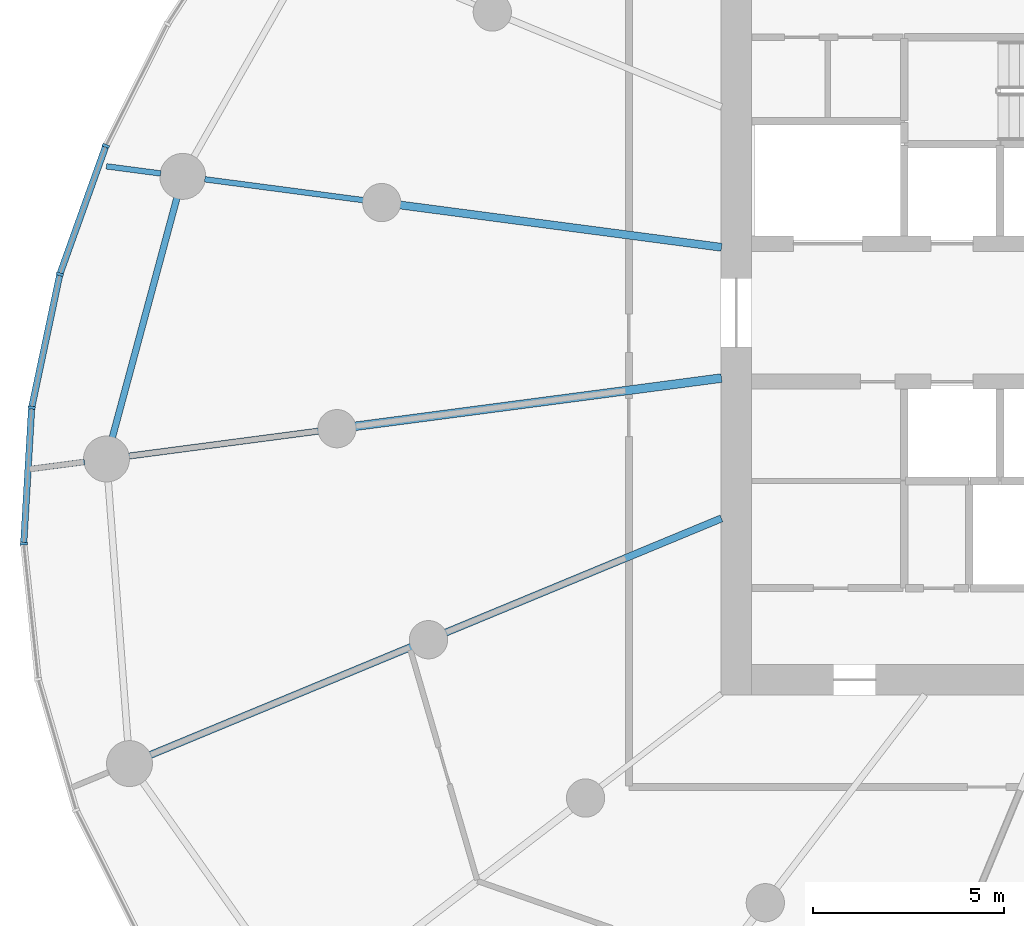
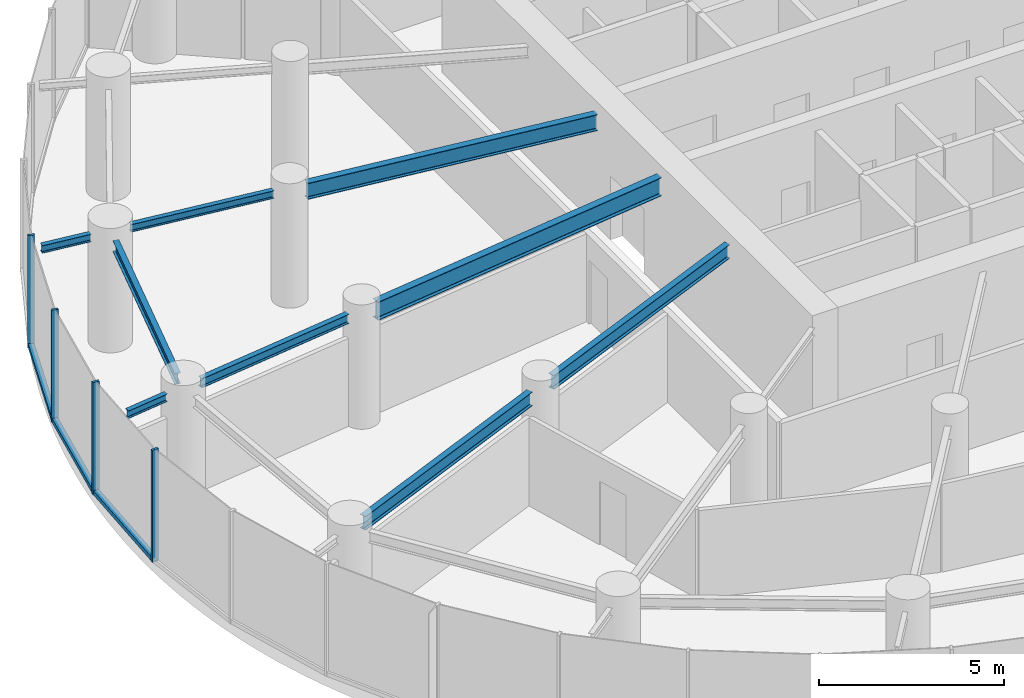
# One storey, part 3 of 17: 9 beams, 7 members, 1 element without a shape of its own.
"""IFC4 building model written with IfcOpenShell, lengths in metres."""

from ifc_helpers import new_model, si_unit, direction, frame, origin, origin_2d, place, context, subcontext, project, spatial, rectangle, i_section, extrude, source, transform, mapped, material, layer, layer_set, material_profile, profile_set, type_object, element, aggregate, save


model = new_model("IFC4")

# Units and contexts
model_context = context("Model", 3, precision=1e-05, world=origin(), true_north=direction((0.0, 1.0)))
body_context = subcontext(model_context, "Body", "Model", "MODEL_VIEW")
ifc_project = project(units=[si_unit("LENGTHUNIT", "METRE"), si_unit("AREAUNIT", "SQUARE_METRE"), si_unit("VOLUMEUNIT", "CUBIC_METRE"), si_unit("PLANEANGLEUNIT", "RADIAN"), si_unit("MASSUNIT", "GRAM", prefix="KILO")], contexts=[model_context])

# Site, building, storey
site_placement = place(None, origin())
site = spatial("IfcSite", under=ifc_project, at=site_placement, CompositionType="ELEMENT")
building_placement = place(site_placement, origin())
building = spatial("IfcBuilding", under=site, at=building_placement, Name="Spindrift Exchange Tower", CompositionType="ELEMENT")
storey_placement = place(building_placement, frame((0.0, 0.0, 100.300048828125)))
storey = spatial("IfcBuildingStorey", under=building, at=storey_placement, Name="L23", CompositionType="ELEMENT", Elevation=100.300048828125)

# Beams
ifc_material_1 = material(Name="Steel Grade 300", Category="steel")
ifc_material_profile_1 = material_profile(ifc_material_1, i_section(OverallWidth=0.22802734375, OverallDepth=0.60693359375, WebThickness=0.01123046875, FlangeThickness=0.017333984375, FilletRadius=0.013916015625, at=origin_2d()), Name="610UB113")
ifc_profile_set_1 = profile_set([ifc_material_profile_1], Name="Steel Grade 300")
beam_type_1 = type_object("IfcBeamType", Name="Floor Beam 610UB113 Steel Grade 300", PredefinedType="BEAM", material=ifc_profile_set_1)
shared_shape_1 = source(origin(), body_context, "Body", "SweptSolid", [
    extrude(i_section(OverallWidth=0.22802734375, OverallDepth=0.60693359375, WebThickness=0.01123046875, FlangeThickness=0.017333984375, FilletRadius=0.013916015625, at=origin_2d()), origin(), (0.0, 0.0, 1.0), 9.660400390625),
])
beam_1_placement = place(storey_placement, frame((39.019775390625, 46.291015625, 3.396484375), z_axis=(-0.99144767089, -0.130504850054, 0.0), x_axis=(0.130504850054, -0.99144767089, 0.0)))
element("IfcBeam", 1, at=beam_1_placement, inside=storey, type_object=beam_type_1, Name="L23 radial beam R13A", PredefinedType="BEAM", context=body_context, shape_type="MappedRepresentation", body=[
    mapped(shared_shape_1, transform((0.0, 0.0, 0.0), scale=1.0)),
])
ifc_material_profile_2 = material_profile(ifc_material_1, i_section(OverallWidth=0.18994140625, OverallDepth=0.45703125, WebThickness=0.009033203125, FlangeThickness=0.014404296875, FilletRadius=0.013916015625, at=origin_2d()), Name="460UB74.6")
ifc_profile_set_2 = profile_set([ifc_material_profile_2], Name="Steel Grade 300")
beam_type_2 = type_object("IfcBeamType", Name="Floor Beam 460UB74.6 Steel Grade 300", PredefinedType="BEAM", material=ifc_profile_set_2)
shared_shape_2 = source(origin(), body_context, "Body", "SweptSolid", [
    extrude(i_section(OverallWidth=0.18994140625, OverallDepth=0.45703125, WebThickness=0.009033203125, FlangeThickness=0.014404296875, FilletRadius=0.013916015625, at=origin_2d()), origin(), (0.0, 0.0, 1.0), 7.808837890625),
])
beam_2_placement = place(storey_placement, frame((39.0185546875, 42.622802734375, 3.471435546875), z_axis=(-0.92387965154, -0.382683145003, 0.0), x_axis=(0.382683145003, -0.92387965154, 0.0)))
element("IfcBeam", 2, at=beam_2_placement, inside=storey, type_object=beam_type_2, Name="L23 radial beam R14A", PredefinedType="BEAM", context=body_context, shape_type="MappedRepresentation", body=[
    mapped(shared_shape_2, transform((0.0, 0.0, 0.0), scale=1.0)),
])
ifc_material_profile_3 = material_profile(ifc_material_1, i_section(OverallWidth=0.208984375, OverallDepth=0.532958984375, WebThickness=0.01025390625, FlangeThickness=0.015625, FilletRadius=0.013916015625, at=origin_2d()), Name="530UB92.4")
ifc_profile_set_3 = profile_set([ifc_material_profile_3], Name="Steel Grade 300")
beam_type_3 = type_object("IfcBeamType", Name="Floor Beam 530UB92.4 Steel Grade 300", PredefinedType="BEAM", material=ifc_profile_set_3)
shared_shape_3 = source(origin(), body_context, "Body", "SweptSolid", [
    extrude(i_section(OverallWidth=0.208984375, OverallDepth=0.532958984375, WebThickness=0.01025390625, FlangeThickness=0.015625, FilletRadius=0.013916015625, at=origin_2d()), origin(), (0.0, 0.0, 1.0), 8.4794921875),
])
beam_3_placement = place(storey_placement, frame((39.019775390625, 49.708984375, 3.433349609375), z_axis=(-0.991446551951, 0.13051335037, 0.0), x_axis=(-0.13051335037, -0.991446551951, 0.0)))
element("IfcBeam", 3, at=beam_3_placement, inside=storey, type_object=beam_type_3, Name="L23 radial beam R12A", PredefinedType="BEAM", context=body_context, shape_type="MappedRepresentation", body=[
    mapped(shared_shape_3, transform((0.0, 0.0, 0.0), scale=1.0)),
])
ifc_material_profile_4 = material_profile(ifc_material_1, i_section(OverallWidth=0.1650390625, OverallDepth=0.303955078125, WebThickness=0.006103515625, FlangeThickness=0.01025390625, FilletRadius=0.011474609375, at=origin_2d()), Name="310UB40.4")
ifc_profile_set_4 = profile_set([ifc_material_profile_4], Name="Steel Grade 300")
beam_type_4 = type_object("IfcBeamType", Name="Floor Beam 310UB40.4 Steel Grade 300", PredefinedType="BEAM", material=ifc_profile_set_4)
shared_shape_4 = source(origin(), body_context, "Body", "SweptSolid", [
    extrude(i_section(OverallWidth=0.1650390625, OverallDepth=0.303955078125, WebThickness=0.006103515625, FlangeThickness=0.01025390625, FilletRadius=0.011474609375, at=origin_2d()), origin(), (0.0, 0.0, 1.0), 5.014404296875),
])
beam_4_placement = place(storey_placement, frame((28.490234375, 44.90478515625, 3.5478515625), z_axis=(-0.99145015202, -0.13048599948, 0.0), x_axis=(0.13048599948, -0.99145015202, 0.0)))
element("IfcBeam", 4, at=beam_4_placement, inside=storey, type_object=beam_type_4, Name="L23 radial beam R13B", PredefinedType="BEAM", context=body_context, shape_type="MappedRepresentation", body=[
    mapped(shared_shape_4, transform((0.0, 0.0, 0.0), scale=1.0)),
])
shared_shape_5 = source(origin(), body_context, "Body", "SweptSolid", [
    extrude(i_section(OverallWidth=0.18994140625, OverallDepth=0.45703125, WebThickness=0.009033203125, FlangeThickness=0.014404296875, FilletRadius=0.013916015625, at=origin_2d()), origin(), (0.0, 0.0, 1.0), 7.400146484375),
])
beam_5_placement = place(storey_placement, frame((30.917236328125, 39.26708984375, 3.471435546875), z_axis=(-0.923886957755, -0.382665505749, 0.0), x_axis=(0.382665505749, -0.923886957755, 0.0)))
element("IfcBeam", 5, at=beam_5_placement, inside=storey, type_object=beam_type_2, Name="L23 radial beam R14B", PredefinedType="BEAM", context=body_context, shape_type="MappedRepresentation", body=[
    mapped(shared_shape_5, transform((0.0, 0.0, 0.0), scale=1.0)),
])
ifc_material_profile_5 = material_profile(ifc_material_1, i_section(OverallWidth=0.14599609375, OverallDepth=0.251953125, WebThickness=0.006103515625, FlangeThickness=0.008544921875, FilletRadius=0.011962890625, at=origin_2d()), Name="250UB31.4")
ifc_profile_set_5 = profile_set([ifc_material_profile_5], Name="Steel Grade 300")
beam_type_5 = type_object("IfcBeamType", Name="Floor Beam 250UB31.4 Steel Grade 300", PredefinedType="BEAM", material=ifc_profile_set_5)
shared_shape_6 = source(origin(), body_context, "Body", "SweptSolid", [
    extrude(i_section(OverallWidth=0.14599609375, OverallDepth=0.251953125, WebThickness=0.006103515625, FlangeThickness=0.008544921875, FilletRadius=0.011962890625, at=origin_2d()), origin(), (0.0, 0.0, 1.0), 4.186279296875),
])
beam_6_placement = place(storey_placement, frame((29.660888671875, 50.94091796875, 3.573974609375), z_axis=(-0.991445559167, 0.130520891848, 0.0), x_axis=(-0.130520891848, -0.991445559167, 0.0)))
element("IfcBeam", 6, at=beam_6_placement, inside=storey, type_object=beam_type_5, Name="L23 radial beam R12B", PredefinedType="BEAM", context=body_context, shape_type="MappedRepresentation", body=[
    mapped(shared_shape_6, transform((0.0, 0.0, 0.0), scale=1.0)),
])
ifc_material_profile_6 = material_profile(ifc_material_1, i_section(OverallWidth=0.172119140625, OverallDepth=0.35888671875, WebThickness=0.008056640625, FlangeThickness=0.012939453125, FilletRadius=0.013916015625, at=origin_2d()), Name="360UB56.7")
ifc_profile_set_6 = profile_set([ifc_material_profile_6], Name="Steel Grade 300")
beam_type_6 = type_object("IfcBeamType", Name="Edge Beam 360UB56.7 Steel Grade 300", PredefinedType="SPANDREL", material=ifc_profile_set_6)
shared_shape_7 = source(origin(), body_context, "Body", "SweptSolid", [
    extrude(i_section(OverallWidth=0.172119140625, OverallDepth=0.35888671875, WebThickness=0.008056640625, FlangeThickness=0.012939453125, FilletRadius=0.013916015625, at=origin_2d()), origin(), (0.0, 0.0, 1.0), 6.4921875),
])
beam_7_placement = place(storey_placement, frame((24.784423828125, 51.003173828125, 3.5205078125), z_axis=(-0.260262058381, -0.965538016324, 0.0), x_axis=(0.965538016324, -0.260262058381, 0.0)))
element("IfcBeam", 7, at=beam_7_placement, inside=storey, type_object=beam_type_6, Name="L23 edge beam E12", PredefinedType="SPANDREL", context=body_context, shape_type="MappedRepresentation", body=[
    mapped(shared_shape_7, transform((0.0, 0.0, 0.0), scale=1.0)),
])
ifc_material_profile_7 = material_profile(ifc_material_1, i_section(OverallWidth=0.14599609375, OverallDepth=0.251953125, WebThickness=0.006103515625, FlangeThickness=0.008544921875, FilletRadius=0.011962890625, at=origin_2d()), Name="250UB31.4")
ifc_profile_set_7 = profile_set([ifc_material_profile_7], Name="Steel Grade 300")
beam_type_7 = type_object("IfcBeamType", Name="Cantilever Beam 250UB31.4 Steel Grade 300", PredefinedType="BEAM", material=ifc_profile_set_7)
shared_shape_8 = source(origin(), body_context, "Body", "SweptSolid", [
    extrude(i_section(OverallWidth=0.14599609375, OverallDepth=0.251953125, WebThickness=0.006103515625, FlangeThickness=0.008544921875, FilletRadius=0.011962890625, at=origin_2d()), origin(), (0.0, 0.0, 1.0), 1.330078125),
])
beam_8_placement = place(storey_placement, frame((22.36865234375, 44.09912109375, 3.573974609375), z_axis=(-0.991422401773, -0.130696676553, 0.0), x_axis=(0.130696676553, -0.991422401773, 0.0)))
element("IfcBeam", 8, at=beam_8_placement, inside=storey, type_object=beam_type_7, Name="L23 cantilever beam R13T", PredefinedType="BEAM", context=body_context, shape_type="MappedRepresentation", body=[
    mapped(shared_shape_8, transform((0.0, 0.0, 0.0), scale=1.0)),
])
shared_shape_9 = source(origin(), body_context, "Body", "SweptSolid", [
    extrude(i_section(OverallWidth=0.14599609375, OverallDepth=0.251953125, WebThickness=0.006103515625, FlangeThickness=0.008544921875, FilletRadius=0.011962890625, at=origin_2d()), origin(), (0.0, 0.0, 1.0), 1.431884765625),
])
beam_9_placement = place(storey_placement, frame((24.360595703125, 51.638916015625, 3.573974609375), z_axis=(-0.99145719693, 0.130432460129, 0.0), x_axis=(-0.130432460129, -0.99145719693, 0.0)))
element("IfcBeam", 9, at=beam_9_placement, inside=storey, type_object=beam_type_7, Name="L23 cantilever beam R12T", PredefinedType="BEAM", context=body_context, shape_type="MappedRepresentation", body=[
    mapped(shared_shape_9, transform((0.0, 0.0, 0.0), scale=1.0)),
])

# Curtain wall, members
ifc_material_2 = material(Name="Fritted laminated glass with bronze frame", Category="glass")
ifc_layer = layer(ifc_material_2, 0.18994140625)
ifc_layer_set = layer_set([ifc_layer], Name="ZONE 2 BRONZE FRITTED WALL")
curtain_wall_type = type_object("IfcCurtainWallType", Name="ZONE 2 BRONZE FRITTED WALL", PredefinedType="NOTDEFINED", material=ifc_layer_set)
curtain_wall_placement = place(storey_placement, origin())
curtain_wall = element("IfcCurtainWall", 10, at=curtain_wall_placement, inside=storey, type_object=curtain_wall_type, Name="L23 Zone 2 Bronze Fritted Wall run 4", PredefinedType="NOTDEFINED")
ifc_material_3 = material(Name="Bronze anodised aluminium", Category="aluminium")
ifc_material_profile_8 = material_profile(ifc_material_3, rectangle(XDim=0.074951171875, YDim=0.18994140625, at=origin_2d()), Name="ZONE 2 BRONZE FRITTED WALL MULLION 75X190")
ifc_profile_set_8 = profile_set([ifc_material_profile_8], Name="Bronze anodised aluminium")
member_type_1 = type_object("IfcMemberType", Name="ZONE 2 BRONZE FRITTED WALL MULLION 75X190", PredefinedType="MULLION", material=ifc_profile_set_8)
shared_shape_10 = source(origin(), body_context, "Body", "SweptSolid", [
    extrude(rectangle(XDim=0.074951171875, YDim=0.18994140625, at=origin_2d()), origin(), (0.0, 0.0, 1.0), 3.699951171875),
])
member_1_placement = place(storey_placement, frame((22.925537109375, 52.36181640625, 0.0), z_axis=(0.0, 0.0, 1.0), x_axis=(-0.394401131018, -0.918938380879, 0.0)))
member_1 = element("IfcMember", 11, at=member_1_placement, type_object=member_type_1, Name="L23 mullion CW-2.21", PredefinedType="MULLION", context=body_context, shape_type="MappedRepresentation", body=[
    mapped(shared_shape_10, transform((0.0, 0.0, 0.0), scale=1.0)),
])
member_2_placement = place(storey_placement, frame((21.722900390625, 49.00537109375, 0.0), z_axis=(0.0, 0.0, 1.0), x_axis=(-0.272696789395, -0.962100026532, 0.0)))
member_2 = element("IfcMember", 12, at=member_2_placement, type_object=member_type_1, Name="L23 mullion CW-2.22", PredefinedType="MULLION", context=body_context, shape_type="MappedRepresentation", body=[
    mapped(shared_shape_10, transform((0.0, 0.0, 0.0), scale=1.0)),
])
member_3_placement = place(storey_placement, frame((20.985595703125, 45.517822265625, 0.0), z_axis=(0.0, 0.0, 1.0), x_axis=(-0.132998428986, -0.991116248423, 0.0)))
member_3 = element("IfcMember", 13, at=member_3_placement, type_object=member_type_1, Name="L23 mullion CW-2.23", PredefinedType="MULLION", context=body_context, shape_type="MappedRepresentation", body=[
    mapped(shared_shape_10, transform((0.0, 0.0, 0.0), scale=1.0)),
])
member_4_placement = place(storey_placement, frame((20.777587890625, 41.959716796875, 0.0), z_axis=(0.0, 0.0, 1.0), x_axis=(0.023700017407, -0.999719115139, 0.0)))
member_4 = element("IfcMember", 14, at=member_4_placement, type_object=member_type_1, Name="L23 mullion CW-2.24", PredefinedType="MULLION", context=body_context, shape_type="MappedRepresentation", body=[
    mapped(shared_shape_10, transform((0.0, 0.0, 0.0), scale=1.0)),
])
ifc_material_profile_9 = material_profile(ifc_material_3, rectangle(XDim=0.169921875, YDim=0.139892578125, at=origin_2d()), Name="ZONE 2 BRONZE FRITTED WALL TRANSOM 170X140")
ifc_profile_set_9 = profile_set([ifc_material_profile_9], Name="Bronze anodised aluminium")
member_type_2 = type_object("IfcMemberType", Name="ZONE 2 BRONZE FRITTED WALL TRANSOM 170X140", PredefinedType="USERDEFINED", material=ifc_profile_set_9)
shared_shape_11 = source(origin(), body_context, "Body", "SweptSolid", [
    extrude(rectangle(XDim=0.169921875, YDim=0.139892578125, at=origin_2d()), origin(), (0.0, 0.0, 1.0), 3.489013671875),
])
member_5_placement = place(storey_placement, frame((20.9833984375, 45.48046875, 0.070068359375), z_axis=(-0.058356955289, -0.998295780703, 0.0), x_axis=(0.998295780703, -0.058356955289, 0.0)))
member_5 = element("IfcMember", 15, at=member_5_placement, type_object=member_type_2, Name="L23 transom CW-2.23", ObjectType="TRANSOM", PredefinedType="USERDEFINED", context=body_context, shape_type="MappedRepresentation", body=[
    mapped(shared_shape_11, transform((0.0, 0.0, 0.0), scale=1.0)),
])
shared_shape_12 = source(origin(), body_context, "Body", "SweptSolid", [
    extrude(rectangle(XDim=0.169921875, YDim=0.139892578125, at=origin_2d()), origin(), (0.0, 0.0, 1.0), 3.490234375),
])
member_6_placement = place(storey_placement, frame((22.912841796875, 52.326416015625, 0.070068359375), z_axis=(-0.337302235938, -0.941396410462, 0.0), x_axis=(0.941396410462, -0.337302235938, 0.0)))
member_6 = element("IfcMember", 16, at=member_6_placement, type_object=member_type_2, Name="L23 transom CW-2.21", ObjectType="TRANSOM", PredefinedType="USERDEFINED", context=body_context, shape_type="MappedRepresentation", body=[
    mapped(shared_shape_12, transform((0.0, 0.0, 0.0), scale=1.0)),
])
shared_shape_13 = source(origin(), body_context, "Body", "SweptSolid", [
    extrude(rectangle(XDim=0.169921875, YDim=0.139892578125, at=origin_2d()), origin(), (0.0, 0.0, 1.0), 3.48974609375),
])
member_7_placement = place(storey_placement, frame((21.71533203125, 48.96875, 0.070068359375), z_axis=(-0.206867161246, -0.978369039575, 0.0), x_axis=(0.978369039575, -0.206867161246, 0.0)))
member_7 = element("IfcMember", 17, at=member_7_placement, type_object=member_type_2, Name="L23 transom CW-2.22", ObjectType="TRANSOM", PredefinedType="USERDEFINED", context=body_context, shape_type="MappedRepresentation", body=[
    mapped(shared_shape_13, transform((0.0, 0.0, 0.0), scale=1.0)),
])
aggregate(curtain_wall, [member_1, member_6, member_2, member_7, member_3, member_5, member_4])

save(model, "model.ifc")
